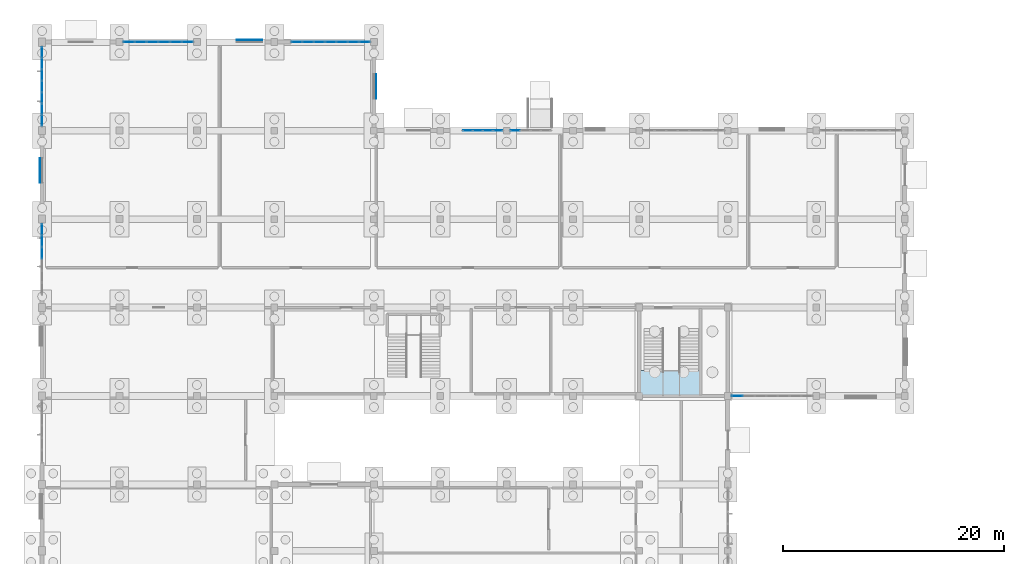
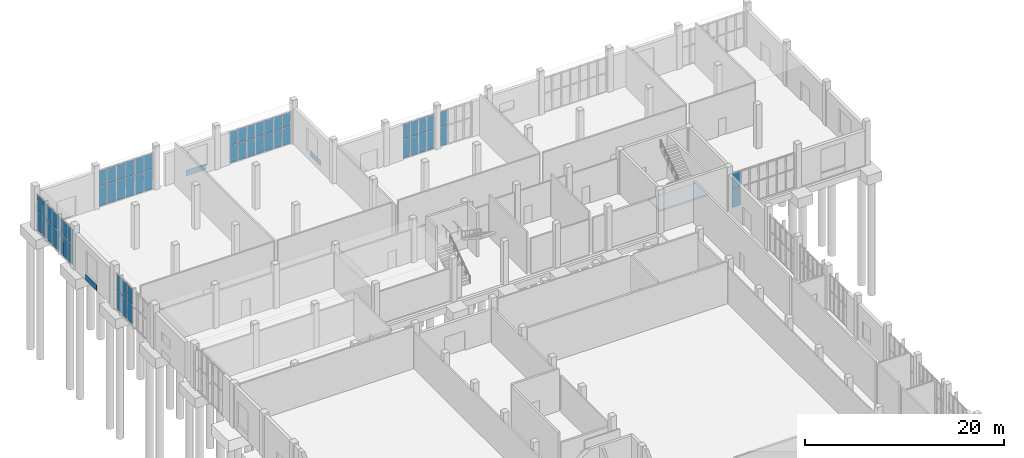
# One storey, part 38 of 69: 61 plates, 1 slab, 8 elements without a shape of their own.
"""IFC4 building model written with IfcOpenShell, lengths in metres."""

import ifcopenshell
import ifcopenshell.guid

model = None  # the IFC model being written
_history = None  # IfcOwnerHistory: only IFC2X3 demands one
_inside = {}  # id of a spatial element -> (the spatial element, [elements in it])
_under = {}  # id of a project, library or spatial element -> (it, [spatial elements below it])
_declared = {}  # id of a project -> (the project, [libraries it declares])
_typed = {}  # id of a type object -> (the type object, [elements of that type])
_made_of = {}  # id of a material, layer set ... -> (it, [elements and type objects made of it])


def new_model(schema):
    """Start an empty IFC model of exactly this schema.

    Asked for "IFC4X3", IfcOpenShell would pick the latest addendum, in which some entities
    have other attributes; the version numbers below select the first issue.
    IFC2X3 requires an IfcOwnerHistory on every rooted entity: one is made here for all.
    """
    global model, _history
    if schema == "IFC4X3":
        model = ifcopenshell.file(schema_version=(4, 3, 0, 0))
    else:
        model = ifcopenshell.file(schema=schema)
    _inside.clear()
    _under.clear()
    _declared.clear()
    _typed.clear()
    _made_of.clear()
    _history = None
    if model.schema == "IFC2X3":
        org = make("IfcOrganization", Name="unknown")
        user = make(
            "IfcPersonAndOrganization",
            ThePerson=make("IfcPerson", FamilyName="unknown"),
            TheOrganization=org,
        )
        app = make(
            "IfcApplication",
            ApplicationDeveloper=org,
            Version="unknown",
            ApplicationFullName="unknown",
            ApplicationIdentifier="unknown",
        )
        _history = make(
            "IfcOwnerHistory",
            OwningUser=user,
            OwningApplication=app,
            ChangeAction="ADDED",
            CreationDate=0,
        )
    return model


def make(cls, **values):
    """One entity of the class cls with the attributes given. An attribute that is None is left unset."""
    return model.create_entity(
        cls, **{name: value for name, value in values.items() if value is not None}
    )


def rooted(cls, **values):
    """An entity with a GlobalId (a new one), such as an element, a storey or a relation."""
    return make(cls, GlobalId=ifcopenshell.guid.new(), OwnerHistory=_history, **values)


def si_unit(unit_type, name, prefix=None):
    """IfcSIUnit, for example si_unit("LENGTHUNIT", "METRE", prefix="MILLI")."""
    return make("IfcSIUnit", UnitType=unit_type, Prefix=prefix, Name=name)


def assignment(units):
    """IfcUnitAssignment: the units of a project."""
    return None if units is None else make("IfcUnitAssignment", Units=units)


def point(xyz):
    """IfcCartesianPoint."""
    return None if xyz is None else make("IfcCartesianPoint", Coordinates=xyz)


def direction(xyz):
    """IfcDirection."""
    return None if xyz is None else make("IfcDirection", DirectionRatios=xyz)


def frame(location, z_axis=None, x_axis=None):
    """IfcAxis2Placement3D, a coordinate frame: its origin and axes. An axis left out is left unset."""
    return make(
        "IfcAxis2Placement3D",
        Location=point(location),
        Axis=direction(z_axis),
        RefDirection=direction(x_axis),
    )


def frame_2d(location, x_axis=None):
    """IfcAxis2Placement2D, a coordinate frame in the plane: its origin and x axis."""
    return make(
        "IfcAxis2Placement2D", Location=point(location), RefDirection=direction(x_axis)
    )


def origin():
    """The frame at (0, 0, 0) with its axes left unset."""
    return frame((0.0, 0.0, 0.0))


def origin_2d():
    """The frame at (0, 0) in the plane with its x axis left unset."""
    return frame_2d((0.0, 0.0))


def place(relative_to, where):
    """IfcLocalPlacement: puts the frame where relative to a parent placement (None: the world)."""
    return make(
        "IfcLocalPlacement", PlacementRelTo=relative_to, RelativePlacement=where
    )


def context(
    kind, dimensions, precision=None, world=None, true_north=None, identifier=None
):
    """IfcGeometricRepresentationContext, for example the 3D "Model" context."""
    return make(
        "IfcGeometricRepresentationContext",
        ContextIdentifier=identifier,
        ContextType=kind,
        CoordinateSpaceDimension=dimensions,
        Precision=precision,
        WorldCoordinateSystem=world,
        TrueNorth=true_north,
    )


def subcontext(parent, identifier, kind, view, scale=None):
    """IfcGeometricRepresentationSubContext, for example "Body" below "Model"."""
    return make(
        "IfcGeometricRepresentationSubContext",
        ContextIdentifier=identifier,
        ContextType=kind,
        ParentContext=parent,
        TargetScale=scale,
        TargetView=view,
    )


def project(units=None, contexts=None):
    """IfcProject with its units and contexts."""
    return rooted(
        "IfcProject",
        Name="project",
        RepresentationContexts=contexts,
        UnitsInContext=assignment(units),
    )


def spatial(cls, under=None, at=None, **own):
    """A site, building, storey or space (cls), placed at a placement, below another one or the project."""
    s = rooted(cls, ObjectPlacement=at, **own)
    if under is not None:
        _under.setdefault(under.id(), (under, []))[1].append(s)
    return s


def polyline(points):
    """IfcPolyline through the points."""
    return make("IfcPolyline", Points=[point(p) for p in points])


def profile(cls, at=None, kind="AREA", **sizes):
    """A parametric profile (cls). Its sizes go by their IFC names, for example OverallWidth=200.0."""
    return make(cls, ProfileType=kind, Position=at, **sizes)


def rectangle(**sizes):
    """IfcRectangleProfileDef."""
    return profile("IfcRectangleProfileDef", **sizes)


def outline(outer, holes=None, kind="AREA"):
    """IfcArbitraryClosedProfileDef: a profile drawn as a closed curve; with holes, ...WithVoids."""
    if holes is None:
        return make("IfcArbitraryClosedProfileDef", ProfileType=kind, OuterCurve=outer)
    return make(
        "IfcArbitraryProfileDefWithVoids",
        ProfileType=kind,
        OuterCurve=outer,
        InnerCurves=holes,
    )


def extrude(swept, where, along, depth):
    """IfcExtrudedAreaSolid: the profile swept, set in the frame where, extruded along a direction by depth."""
    return make(
        "IfcExtrudedAreaSolid",
        SweptArea=swept,
        Position=where,
        ExtrudedDirection=direction(along),
        Depth=depth,
    )


def shape(context_of_items, identifier, shape_type, items):
    """IfcShapeRepresentation: the items that make up one representation, for example the "Body"."""
    return make(
        "IfcShapeRepresentation",
        ContextOfItems=context_of_items,
        RepresentationIdentifier=identifier,
        RepresentationType=shape_type,
        Items=items,
    )


def material(Name=None, Category=None):
    """IfcMaterial."""
    return make("IfcMaterial", Name=Name, Category=Category)


def layer(
    of_material, thickness, ventilated=None, Name=None, Category=None, Priority=None
):
    """IfcMaterialLayer: one layer of a wall or slab, of a material (None: an air gap)."""
    return make(
        "IfcMaterialLayer",
        Material=of_material,
        LayerThickness=thickness,
        IsVentilated=ventilated,
        Name=Name,
        Category=Category,
        Priority=Priority,
    )


def layer_set(layers, Name=None):
    """IfcMaterialLayerSet."""
    return make("IfcMaterialLayerSet", MaterialLayers=layers, LayerSetName=Name)


def made_of(thing, what):
    """Note that an element or type object is made of a material, layer set ...; save() writes the relation."""
    if what is not None:
        _made_of.setdefault(what.id(), (what, []))[1].append(thing)
    return thing


def type_object(cls, material=None, **own):
    """A type object (cls), such as IfcWallType, which elements share."""
    return made_of(rooted(cls, **own), material)


def element(
    cls,
    number,
    at=None,
    inside=None,
    cuts=None,
    type_object=None,
    material=None,
    context=None,
    identifier="Body",
    shape_type=None,
    held_by="IfcProductDefinitionShape",
    body=None,
    shapes=None,
    **own,
):
    """One element of the class cls, such as IfcWall. Its Tag is "e" and its number.

    at: its placement. inside: the storey or other place that contains it. cuts: it is an
    opening in that element (IfcRelVoidsElement). A single representation is given by context,
    identifier, shape_type and body (its items); several are given by shapes. held_by: the class
    of the entity that holds the representations. save() writes the other relations.
    """
    e = rooted(cls, Tag="e%d" % number, ObjectPlacement=at, **own)
    if body is not None:
        shapes = [shape(context, identifier, shape_type, body)]
    if shapes is not None:
        e.Representation = make(held_by, Representations=shapes)
    if inside is not None:
        _inside.setdefault(inside.id(), (inside, []))[1].append(e)
    if cuts is not None:
        rooted(
            "IfcRelVoidsElement", RelatingBuildingElement=cuts, RelatedOpeningElement=e
        )
    if type_object is not None:
        _typed.setdefault(type_object.id(), (type_object, []))[1].append(e)
    return made_of(e, material)


def aggregate(whole, parts):
    """IfcRelAggregates: a whole, such as a stair, and the parts it consists of."""
    return rooted("IfcRelAggregates", RelatingObject=whole, RelatedObjects=parts)


def save(model, path):
    """Write the relations noted so far, then the file.

    IfcRelAggregates (storeys below a building ...), IfcRelContainedInSpatialStructure (elements
    in a storey), IfcRelDefinesByType, IfcRelAssociatesMaterial and IfcRelDeclares: one each for
    every whole, place, type object, material and project.
    """
    for whole, parts in _under.values():
        aggregate(whole, parts)
    for where, things in _inside.values():
        rooted(
            "IfcRelContainedInSpatialStructure",
            RelatedElements=things,
            RelatingStructure=where,
        )
    for kind, things in _typed.values():
        rooted("IfcRelDefinesByType", RelatedObjects=things, RelatingType=kind)
    for what, things in _made_of.values():
        rooted("IfcRelAssociatesMaterial", RelatedObjects=things, RelatingMaterial=what)
    for by, libraries in _declared.values():
        rooted("IfcRelDeclares", RelatingContext=by, RelatedDefinitions=libraries)
    model.write(path)


model = new_model("IFC4")

# Units and contexts
model_context = context("Model", 3, precision=1e-05, world=origin(), true_north=direction((0.0, 1.0)))
body_context = subcontext(model_context, "Body", "Model", "MODEL_VIEW")
ifc_project = project(units=[si_unit("LENGTHUNIT", "METRE"), si_unit("AREAUNIT", "SQUARE_METRE"), si_unit("VOLUMEUNIT", "CUBIC_METRE"), si_unit("PLANEANGLEUNIT", "RADIAN"), si_unit("MASSUNIT", "GRAM", prefix="KILO")], contexts=[model_context])

# Site, building, storey
site_placement = place(None, origin())
site = spatial("IfcSite", under=ifc_project, at=site_placement, CompositionType="ELEMENT")
building_placement = place(site_placement, origin())
building = spatial("IfcBuilding", under=site, at=building_placement, Name="Solvane Community Centre", CompositionType="ELEMENT")
storey_placement = place(building_placement, origin())
storey = spatial("IfcBuildingStorey", under=building, at=storey_placement, Name="L00", CompositionType="ELEMENT", Elevation=0.0)

# Plates
ifc_material_1 = material(Name="Anodised bronze aluminium AW-6063 T6", Category="aluminium")
ifc_layer_1 = layer(ifc_material_1, 0.02392578125)
ifc_layer_set_1 = layer_set([ifc_layer_1], Name="Anodised bronze aluminium AW-6063 T6")
plate_type_1 = type_object("IfcPlateType", Name="Bronze Spandrel Cassette 24mm", PredefinedType="SHEET", material=ifc_layer_set_1)
plate_1_placement = place(storey_placement, frame((5.798095703125, 106.39990234375, 0.06005859375), z_axis=(0.0, 0.0, 1.0), x_axis=(0.0, 1.0, 0.0)))
element("IfcPlate", 1, at=plate_1_placement, inside=storey, type_object=plate_type_1, Name="Art Deco Spandrel SPC-L00-007", PredefinedType="SHEET", context=body_context, shape_type="SweptSolid", body=[
    extrude(rectangle(XDim=2.199951171875, YDim=0.02392578125, at=origin_2d()), origin(), (0.0, 0.0, 1.0), 0.719970703125),
])
plate_2_placement = place(storey_placement, frame((24.75, 118.201904296875, 0.06005859375), z_axis=(0.0, 0.0, 1.0), x_axis=(1.0, 0.0, 0.0)))
element("IfcPlate", 2, at=plate_2_placement, inside=storey, type_object=plate_type_1, Name="Art Deco Spandrel SPC-L00-008", PredefinedType="SHEET", context=body_context, shape_type="SweptSolid", body=[
    extrude(rectangle(XDim=2.300048828125, YDim=0.02392578125, at=origin_2d()), origin(), (0.0, 0.0, 1.0), 0.719970703125),
])
plate_3_placement = place(storey_placement, frame((36.201904296875, 114.0, 0.06005859375), z_axis=(0.0, 0.0, 1.0), x_axis=(0.0, -1.0, 0.0)))
element("IfcPlate", 3, at=plate_3_placement, inside=storey, type_object=plate_type_1, Name="Art Deco Spandrel SPC-L00-009", PredefinedType="SHEET", context=body_context, shape_type="SweptSolid", body=[
    extrude(rectangle(XDim=2.199951171875, YDim=0.02392578125, at=origin_2d()), origin(), (0.0, 0.0, 1.0), 0.719970703125),
])

# Curtain wall, plates
ifc_layer_2 = layer(ifc_material_1, 0.18994140625)
ifc_layer_set_2 = layer_set([ifc_layer_2], Name="Anodised bronze aluminium AW-6063 T6")
curtain_wall_type_1 = type_object("IfcCurtainWallType", Name="Boulevard Bronze Vision Curtain Wall [37x43dm]", PredefinedType="NOTDEFINED", material=ifc_layer_set_2)
curtain_wall_1_placement = place(storey_placement, origin())
curtain_wall_1 = element("IfcCurtainWall", 4, at=curtain_wall_1_placement, inside=storey, type_object=curtain_wall_type_1, Name="Curtain Wall CW-L00-440_1100-010", PredefinedType="NOTDEFINED")
ifc_material_2 = material(Name="Tempered low-E double glazing", Category="glass")
ifc_layer_3 = layer(ifc_material_2, 0.028076171875)
ifc_layer_set_3 = layer_set([ifc_layer_3], Name="Tempered low-E double glazing")
plate_type_2 = type_object("IfcPlateType", Name="Low-E Vision Glazing Panel 28mm [37x43dm]", PredefinedType="CURTAIN_PANEL", material=ifc_layer_set_3)
plate_4_placement = place(storey_placement, frame((44.4755859375, 110.0, 0.06005859375), z_axis=(0.0, 0.0, 1.0), x_axis=(1.0, 0.0, 0.0)))
plate_4 = element("IfcPlate", 5, at=plate_4_placement, type_object=plate_type_2, Name="CW02-37x43 panel 1.1", PredefinedType="CURTAIN_PANEL", context=body_context, shape_type="SweptSolid", body=[
    extrude(rectangle(XDim=0.831298828125, YDim=0.028076171875, at=origin_2d()), origin(), (0.0, 0.0, 1.0), 2.282958984375),
])
plate_5_placement = place(storey_placement, frame((44.4755859375, 110.0, 2.403076171875), z_axis=(0.0, 0.0, 1.0), x_axis=(1.0, 0.0, 0.0)))
plate_5 = element("IfcPlate", 6, at=plate_5_placement, type_object=plate_type_2, Name="CW02-37x43 panel 1.2", PredefinedType="CURTAIN_PANEL", context=body_context, shape_type="SweptSolid", body=[
    extrude(rectangle(XDim=0.831298828125, YDim=0.028076171875, at=origin_2d()), origin(), (0.0, 0.0, 1.0), 1.85205078125),
])
plate_6_placement = place(storey_placement, frame((45.3818359375, 110.0, 0.06005859375), z_axis=(0.0, 0.0, 1.0), x_axis=(1.0, 0.0, 0.0)))
plate_6 = element("IfcPlate", 7, at=plate_6_placement, type_object=plate_type_2, Name="CW02-37x43 panel 2.1", PredefinedType="CURTAIN_PANEL", context=body_context, shape_type="SweptSolid", body=[
    extrude(rectangle(XDim=0.861328125, YDim=0.028076171875, at=origin_2d()), origin(), (0.0, 0.0, 1.0), 2.282958984375),
])
plate_7_placement = place(storey_placement, frame((45.3818359375, 110.0, 2.403076171875), z_axis=(0.0, 0.0, 1.0), x_axis=(1.0, 0.0, 0.0)))
plate_7 = element("IfcPlate", 8, at=plate_7_placement, type_object=plate_type_2, Name="CW02-37x43 panel 2.2", PredefinedType="CURTAIN_PANEL", context=body_context, shape_type="SweptSolid", body=[
    extrude(rectangle(XDim=0.861328125, YDim=0.028076171875, at=origin_2d()), origin(), (0.0, 0.0, 1.0), 1.85205078125),
])
plate_8_placement = place(storey_placement, frame((46.30322265625, 110.0, 0.06005859375), z_axis=(0.0, 0.0, 1.0), x_axis=(1.0, 0.0, 0.0)))
plate_8 = element("IfcPlate", 9, at=plate_8_placement, type_object=plate_type_2, Name="CW02-37x43 panel 3.1", PredefinedType="CURTAIN_PANEL", context=body_context, shape_type="SweptSolid", body=[
    extrude(rectangle(XDim=0.861328125, YDim=0.028076171875, at=origin_2d()), origin(), (0.0, 0.0, 1.0), 2.282958984375),
])
plate_9_placement = place(storey_placement, frame((46.30322265625, 110.0, 2.403076171875), z_axis=(0.0, 0.0, 1.0), x_axis=(1.0, 0.0, 0.0)))
plate_9 = element("IfcPlate", 10, at=plate_9_placement, type_object=plate_type_2, Name="CW02-37x43 panel 3.2", PredefinedType="CURTAIN_PANEL", context=body_context, shape_type="SweptSolid", body=[
    extrude(rectangle(XDim=0.861328125, YDim=0.028076171875, at=origin_2d()), origin(), (0.0, 0.0, 1.0), 1.85205078125),
])
plate_10_placement = place(storey_placement, frame((47.20947265625, 110.0, 0.06005859375), z_axis=(0.0, 0.0, 1.0), x_axis=(1.0, 0.0, 0.0)))
plate_10 = element("IfcPlate", 11, at=plate_10_placement, type_object=plate_type_2, Name="CW02-37x43 panel 4.1", PredefinedType="CURTAIN_PANEL", context=body_context, shape_type="SweptSolid", body=[
    extrude(rectangle(XDim=0.831298828125, YDim=0.028076171875, at=origin_2d()), origin(), (0.0, 0.0, 1.0), 2.282958984375),
])
plate_11_placement = place(storey_placement, frame((47.20947265625, 110.0, 2.403076171875), z_axis=(0.0, 0.0, 1.0), x_axis=(1.0, 0.0, 0.0)))
plate_11 = element("IfcPlate", 12, at=plate_11_placement, type_object=plate_type_2, Name="CW02-37x43 panel 4.2", PredefinedType="CURTAIN_PANEL", context=body_context, shape_type="SweptSolid", body=[
    extrude(rectangle(XDim=0.831298828125, YDim=0.028076171875, at=origin_2d()), origin(), (0.0, 0.0, 1.0), 1.85205078125),
])
aggregate(curtain_wall_1, [plate_4, plate_5, plate_6, plate_7, plate_8, plate_9, plate_10, plate_11])

curtain_wall_2_placement = place(storey_placement, origin())
curtain_wall_2 = element("IfcCurtainWall", 13, at=curtain_wall_2_placement, inside=storey, type_object=curtain_wall_type_1, Name="Curtain Wall CW-L00-483_1100-011", PredefinedType="NOTDEFINED")
plate_12_placement = place(storey_placement, frame((48.79052734375, 110.0, 0.06005859375), z_axis=(0.0, 0.0, 1.0), x_axis=(1.0, 0.0, 0.0)))
plate_12 = element("IfcPlate", 14, at=plate_12_placement, type_object=plate_type_2, Name="CW02-37x43 panel 1.1", PredefinedType="CURTAIN_PANEL", context=body_context, shape_type="SweptSolid", body=[
    extrude(rectangle(XDim=0.831298828125, YDim=0.028076171875, at=origin_2d()), origin(), (0.0, 0.0, 1.0), 2.282958984375),
])
plate_13_placement = place(storey_placement, frame((48.79052734375, 110.0, 2.403076171875), z_axis=(0.0, 0.0, 1.0), x_axis=(1.0, 0.0, 0.0)))
plate_13 = element("IfcPlate", 15, at=plate_13_placement, type_object=plate_type_2, Name="CW02-37x43 panel 1.2", PredefinedType="CURTAIN_PANEL", context=body_context, shape_type="SweptSolid", body=[
    extrude(rectangle(XDim=0.831298828125, YDim=0.028076171875, at=origin_2d()), origin(), (0.0, 0.0, 1.0), 1.85205078125),
])
aggregate(curtain_wall_2, [plate_12, plate_13])

ifc_layer_4 = layer(ifc_material_1, 0.18994140625)
ifc_layer_set_4 = layer_set([ifc_layer_4], Name="Anodised bronze aluminium AW-6063 T6")
curtain_wall_type_2 = type_object("IfcCurtainWallType", Name="Boulevard Bronze Vision Curtain Wall [64x44dm]", PredefinedType="NOTDEFINED", material=ifc_layer_set_4)
curtain_wall_3_placement = place(storey_placement, origin())
curtain_wall_3 = element("IfcCurtainWall", 16, at=curtain_wall_3_placement, inside=storey, type_object=curtain_wall_type_2, Name="Curtain Wall CW-L00-60_952-006", PredefinedType="NOTDEFINED")
ifc_layer_5 = layer(ifc_material_2, 0.028076171875)
ifc_layer_set_5 = layer_set([ifc_layer_5], Name="Tempered low-E double glazing")
plate_type_3 = type_object("IfcPlateType", Name="Low-E Vision Glazing Panel 28mm [64x44dm]", PredefinedType="CURTAIN_PANEL", material=ifc_layer_set_5)
plate_14_placement = place(storey_placement, frame((6.0, 98.939208984375, 0.06005859375), z_axis=(0.0, 0.0, 1.0), x_axis=(0.0, 1.0, 0.0)))
plate_14 = element("IfcPlate", 17, at=plate_14_placement, type_object=plate_type_3, Name="CW02-64x44 panel 4.1", PredefinedType="CURTAIN_PANEL", context=body_context, shape_type="SweptSolid", body=[
    extrude(rectangle(XDim=1.00830078125, YDim=0.028076171875, at=origin_2d()), origin(), (0.0, 0.0, 1.0), 2.35498046875),
])
plate_15_placement = place(storey_placement, frame((6.0, 98.939208984375, 2.47509765625), z_axis=(0.0, 0.0, 1.0), x_axis=(0.0, 1.0, 0.0)))
plate_15 = element("IfcPlate", 18, at=plate_15_placement, type_object=plate_type_3, Name="CW02-64x44 panel 4.2", PredefinedType="CURTAIN_PANEL", context=body_context, shape_type="SweptSolid", body=[
    extrude(rectangle(XDim=1.00830078125, YDim=0.028076171875, at=origin_2d()), origin(), (0.0, 0.0, 1.0), 1.909912109375),
])
plate_16_placement = place(storey_placement, frame((6.0, 100.007568359375, 0.06005859375), z_axis=(0.0, 0.0, 1.0), x_axis=(0.0, 1.0, 0.0)))
plate_16 = element("IfcPlate", 19, at=plate_16_placement, type_object=plate_type_3, Name="CW02-64x44 panel 5.1", PredefinedType="CURTAIN_PANEL", context=body_context, shape_type="SweptSolid", body=[
    extrude(rectangle(XDim=1.00830078125, YDim=0.028076171875, at=origin_2d()), origin(), (0.0, 0.0, 1.0), 2.35498046875),
])
plate_17_placement = place(storey_placement, frame((6.0, 100.007568359375, 2.47509765625), z_axis=(0.0, 0.0, 1.0), x_axis=(0.0, 1.0, 0.0)))
plate_17 = element("IfcPlate", 20, at=plate_17_placement, type_object=plate_type_3, Name="CW02-64x44 panel 5.2", PredefinedType="CURTAIN_PANEL", context=body_context, shape_type="SweptSolid", body=[
    extrude(rectangle(XDim=1.00830078125, YDim=0.028076171875, at=origin_2d()), origin(), (0.0, 0.0, 1.0), 1.909912109375),
])
plate_18_placement = place(storey_placement, frame((6.0, 101.060791015625, 0.06005859375), z_axis=(0.0, 0.0, 1.0), x_axis=(0.0, 1.0, 0.0)))
plate_18 = element("IfcPlate", 21, at=plate_18_placement, type_object=plate_type_3, Name="CW02-64x44 panel 6.1", PredefinedType="CURTAIN_PANEL", context=body_context, shape_type="SweptSolid", body=[
    extrude(rectangle(XDim=0.978271484375, YDim=0.028076171875, at=origin_2d()), origin(), (0.0, 0.0, 1.0), 2.35498046875),
])
plate_19_placement = place(storey_placement, frame((6.0, 101.060791015625, 2.47509765625), z_axis=(0.0, 0.0, 1.0), x_axis=(0.0, 1.0, 0.0)))
plate_19 = element("IfcPlate", 22, at=plate_19_placement, type_object=plate_type_3, Name="CW02-64x44 panel 6.2", PredefinedType="CURTAIN_PANEL", context=body_context, shape_type="SweptSolid", body=[
    extrude(rectangle(XDim=0.978271484375, YDim=0.028076171875, at=origin_2d()), origin(), (0.0, 0.0, 1.0), 1.909912109375),
])
aggregate(curtain_wall_3, [plate_14, plate_15, plate_16, plate_17, plate_18, plate_19])

ifc_layer_6 = layer(ifc_material_1, 0.18994140625)
ifc_layer_set_6 = layer_set([ifc_layer_6], Name="Anodised bronze aluminium AW-6063 T6")
curtain_wall_type_3 = type_object("IfcCurtainWallType", Name="Boulevard Bronze Vision Curtain Wall [64x45dm]", PredefinedType="NOTDEFINED", material=ifc_layer_set_6)
curtain_wall_4_placement = place(storey_placement, origin())
curtain_wall_4 = element("IfcCurtainWall", 23, at=curtain_wall_4_placement, inside=storey, type_object=curtain_wall_type_3, Name="Curtain Wall CW-L00-133_1180-008", PredefinedType="NOTDEFINED")
ifc_layer_7 = layer(ifc_material_2, 0.028076171875)
ifc_layer_set_7 = layer_set([ifc_layer_7], Name="Tempered low-E double glazing")
plate_type_4 = type_object("IfcPlateType", Name="Low-E Vision Glazing Panel 28mm [64x45dm]", PredefinedType="CURTAIN_PANEL", material=ifc_layer_set_7)
plate_20_placement = place(storey_placement, frame((13.864990234375, 118.0, 0.06005859375), z_axis=(0.0, 0.0, 1.0), x_axis=(1.0, 0.0, 0.0)))
plate_20 = element("IfcPlate", 24, at=plate_20_placement, type_object=plate_type_4, Name="CW02-64x45 panel 1.1", PredefinedType="CURTAIN_PANEL", context=body_context, shape_type="SweptSolid", body=[
    extrude(rectangle(XDim=0.969970703125, YDim=0.028076171875, at=origin_2d()), origin(), (0.0, 0.0, 1.0), 2.382080078125),
])
plate_21_placement = place(storey_placement, frame((13.864990234375, 118.0, 2.501953125), z_axis=(0.0, 0.0, 1.0), x_axis=(1.0, 0.0, 0.0)))
plate_21 = element("IfcPlate", 25, at=plate_21_placement, type_object=plate_type_4, Name="CW02-64x45 panel 1.2", PredefinedType="CURTAIN_PANEL", context=body_context, shape_type="SweptSolid", body=[
    extrude(rectangle(XDim=0.969970703125, YDim=0.028076171875, at=origin_2d()), origin(), (0.0, 0.0, 1.0), 1.93310546875),
])
plate_22_placement = place(storey_placement, frame((14.909912109375, 118.0, 0.06005859375), z_axis=(0.0, 0.0, 1.0), x_axis=(1.0, 0.0, 0.0)))
plate_22 = element("IfcPlate", 26, at=plate_22_placement, type_object=plate_type_4, Name="CW02-64x45 panel 2.1", PredefinedType="CURTAIN_PANEL", context=body_context, shape_type="SweptSolid", body=[
    extrude(rectangle(XDim=1.0, YDim=0.028076171875, at=origin_2d()), origin(), (0.0, 0.0, 1.0), 2.382080078125),
])
plate_23_placement = place(storey_placement, frame((14.909912109375, 118.0, 2.501953125), z_axis=(0.0, 0.0, 1.0), x_axis=(1.0, 0.0, 0.0)))
plate_23 = element("IfcPlate", 27, at=plate_23_placement, type_object=plate_type_4, Name="CW02-64x45 panel 2.2", PredefinedType="CURTAIN_PANEL", context=body_context, shape_type="SweptSolid", body=[
    extrude(rectangle(XDim=1.0, YDim=0.028076171875, at=origin_2d()), origin(), (0.0, 0.0, 1.0), 1.93310546875),
])
plate_24_placement = place(storey_placement, frame((15.969970703125, 118.0, 0.06005859375), z_axis=(0.0, 0.0, 1.0), x_axis=(1.0, 0.0, 0.0)))
plate_24 = element("IfcPlate", 28, at=plate_24_placement, type_object=plate_type_4, Name="CW02-64x45 panel 3.1", PredefinedType="CURTAIN_PANEL", context=body_context, shape_type="SweptSolid", body=[
    extrude(rectangle(XDim=1.0, YDim=0.028076171875, at=origin_2d()), origin(), (0.0, 0.0, 1.0), 2.382080078125),
])
plate_25_placement = place(storey_placement, frame((15.969970703125, 118.0, 2.501953125), z_axis=(0.0, 0.0, 1.0), x_axis=(1.0, 0.0, 0.0)))
plate_25 = element("IfcPlate", 29, at=plate_25_placement, type_object=plate_type_4, Name="CW02-64x45 panel 3.2", PredefinedType="CURTAIN_PANEL", context=body_context, shape_type="SweptSolid", body=[
    extrude(rectangle(XDim=1.0, YDim=0.028076171875, at=origin_2d()), origin(), (0.0, 0.0, 1.0), 1.93310546875),
])
plate_26_placement = place(storey_placement, frame((17.030029296875, 118.0, 0.06005859375), z_axis=(0.0, 0.0, 1.0), x_axis=(1.0, 0.0, 0.0)))
plate_26 = element("IfcPlate", 30, at=plate_26_placement, type_object=plate_type_4, Name="CW02-64x45 panel 4.1", PredefinedType="CURTAIN_PANEL", context=body_context, shape_type="SweptSolid", body=[
    extrude(rectangle(XDim=1.0, YDim=0.028076171875, at=origin_2d()), origin(), (0.0, 0.0, 1.0), 2.382080078125),
])
plate_27_placement = place(storey_placement, frame((17.030029296875, 118.0, 2.501953125), z_axis=(0.0, 0.0, 1.0), x_axis=(1.0, 0.0, 0.0)))
plate_27 = element("IfcPlate", 31, at=plate_27_placement, type_object=plate_type_4, Name="CW02-64x45 panel 4.2", PredefinedType="CURTAIN_PANEL", context=body_context, shape_type="SweptSolid", body=[
    extrude(rectangle(XDim=1.0, YDim=0.028076171875, at=origin_2d()), origin(), (0.0, 0.0, 1.0), 1.93310546875),
])
plate_28_placement = place(storey_placement, frame((18.090087890625, 118.0, 0.06005859375), z_axis=(0.0, 0.0, 1.0), x_axis=(1.0, 0.0, 0.0)))
plate_28 = element("IfcPlate", 32, at=plate_28_placement, type_object=plate_type_4, Name="CW02-64x45 panel 5.1", PredefinedType="CURTAIN_PANEL", context=body_context, shape_type="SweptSolid", body=[
    extrude(rectangle(XDim=1.0, YDim=0.028076171875, at=origin_2d()), origin(), (0.0, 0.0, 1.0), 2.382080078125),
])
plate_29_placement = place(storey_placement, frame((18.090087890625, 118.0, 2.501953125), z_axis=(0.0, 0.0, 1.0), x_axis=(1.0, 0.0, 0.0)))
plate_29 = element("IfcPlate", 33, at=plate_29_placement, type_object=plate_type_4, Name="CW02-64x45 panel 5.2", PredefinedType="CURTAIN_PANEL", context=body_context, shape_type="SweptSolid", body=[
    extrude(rectangle(XDim=1.0, YDim=0.028076171875, at=origin_2d()), origin(), (0.0, 0.0, 1.0), 1.93310546875),
])
plate_30_placement = place(storey_placement, frame((19.135009765625, 118.0, 0.06005859375), z_axis=(0.0, 0.0, 1.0), x_axis=(1.0, 0.0, 0.0)))
plate_30 = element("IfcPlate", 34, at=plate_30_placement, type_object=plate_type_4, Name="CW02-64x45 panel 6.1", PredefinedType="CURTAIN_PANEL", context=body_context, shape_type="SweptSolid", body=[
    extrude(rectangle(XDim=0.969970703125, YDim=0.028076171875, at=origin_2d()), origin(), (0.0, 0.0, 1.0), 2.382080078125),
])
plate_31_placement = place(storey_placement, frame((19.135009765625, 118.0, 2.501953125), z_axis=(0.0, 0.0, 1.0), x_axis=(1.0, 0.0, 0.0)))
plate_31 = element("IfcPlate", 35, at=plate_31_placement, type_object=plate_type_4, Name="CW02-64x45 panel 6.2", PredefinedType="CURTAIN_PANEL", context=body_context, shape_type="SweptSolid", body=[
    extrude(rectangle(XDim=0.969970703125, YDim=0.028076171875, at=origin_2d()), origin(), (0.0, 0.0, 1.0), 1.93310546875),
])
aggregate(curtain_wall_4, [plate_20, plate_21, plate_22, plate_23, plate_24, plate_25, plate_26, plate_27, plate_28, plate_29, plate_30, plate_31])

ifc_layer_8 = layer(ifc_material_1, 0.18994140625)
ifc_layer_set_8 = layer_set([ifc_layer_8], Name="Anodised bronze aluminium AW-6063 T6")
curtain_wall_type_4 = type_object("IfcCurtainWallType", Name="Boulevard Bronze Vision Curtain Wall [72x39dm]", PredefinedType="NOTDEFINED", material=ifc_layer_set_8)
curtain_wall_5_placement = place(storey_placement, origin())
curtain_wall_5 = element("IfcCurtainWall", 36, at=curtain_wall_5_placement, inside=storey, type_object=curtain_wall_type_4, Name="Curtain Wall CW-L00-285_1180-009", PredefinedType="NOTDEFINED")
ifc_layer_9 = layer(ifc_material_2, 0.028076171875)
ifc_layer_set_9 = layer_set([ifc_layer_9], Name="Tempered low-E double glazing")
plate_type_5 = type_object("IfcPlateType", Name="Low-E Vision Glazing Panel 28mm [72x39dm]", PredefinedType="CURTAIN_PANEL", material=ifc_layer_set_9)
plate_32_placement = place(storey_placement, frame((29.02783203125, 118.0, 0.06005859375), z_axis=(0.0, 0.0, 1.0), x_axis=(1.0, 0.0, 0.0)))
plate_32 = element("IfcPlate", 37, at=plate_32_placement, type_object=plate_type_5, Name="CW02-72x39 panel 1.1", PredefinedType="CURTAIN_PANEL", context=body_context, shape_type="SweptSolid", body=[
    extrude(rectangle(XDim=0.935791015625, YDim=0.028076171875, at=origin_2d()), origin(), (0.0, 0.0, 1.0), 2.080078125),
])
plate_33_placement = place(storey_placement, frame((29.02783203125, 118.0, 2.199951171875), z_axis=(0.0, 0.0, 1.0), x_axis=(1.0, 0.0, 0.0)))
plate_33 = element("IfcPlate", 38, at=plate_33_placement, type_object=plate_type_5, Name="CW02-72x39 panel 1.2", PredefinedType="CURTAIN_PANEL", context=body_context, shape_type="SweptSolid", body=[
    extrude(rectangle(XDim=0.935791015625, YDim=0.028076171875, at=origin_2d()), origin(), (0.0, 0.0, 1.0), 1.68505859375),
])
plate_34_placement = place(storey_placement, frame((30.03857421875, 118.0, 0.06005859375), z_axis=(0.0, 0.0, 1.0), x_axis=(1.0, 0.0, 0.0)))
plate_34 = element("IfcPlate", 39, at=plate_34_placement, type_object=plate_type_5, Name="CW02-72x39 panel 2.1", PredefinedType="CURTAIN_PANEL", context=body_context, shape_type="SweptSolid", body=[
    extrude(rectangle(XDim=0.9658203125, YDim=0.028076171875, at=origin_2d()), origin(), (0.0, 0.0, 1.0), 2.080078125),
])
plate_35_placement = place(storey_placement, frame((30.03857421875, 118.0, 2.199951171875), z_axis=(0.0, 0.0, 1.0), x_axis=(1.0, 0.0, 0.0)))
plate_35 = element("IfcPlate", 40, at=plate_35_placement, type_object=plate_type_5, Name="CW02-72x39 panel 2.2", PredefinedType="CURTAIN_PANEL", context=body_context, shape_type="SweptSolid", body=[
    extrude(rectangle(XDim=0.9658203125, YDim=0.028076171875, at=origin_2d()), origin(), (0.0, 0.0, 1.0), 1.68505859375),
])
plate_36_placement = place(storey_placement, frame((31.064208984375, 118.0, 0.06005859375), z_axis=(0.0, 0.0, 1.0), x_axis=(1.0, 0.0, 0.0)))
plate_36 = element("IfcPlate", 41, at=plate_36_placement, type_object=plate_type_5, Name="CW02-72x39 panel 3.1", PredefinedType="CURTAIN_PANEL", context=body_context, shape_type="SweptSolid", body=[
    extrude(rectangle(XDim=0.9658203125, YDim=0.028076171875, at=origin_2d()), origin(), (0.0, 0.0, 1.0), 2.080078125),
])
plate_37_placement = place(storey_placement, frame((31.064208984375, 118.0, 2.199951171875), z_axis=(0.0, 0.0, 1.0), x_axis=(1.0, 0.0, 0.0)))
plate_37 = element("IfcPlate", 42, at=plate_37_placement, type_object=plate_type_5, Name="CW02-72x39 panel 3.2", PredefinedType="CURTAIN_PANEL", context=body_context, shape_type="SweptSolid", body=[
    extrude(rectangle(XDim=0.9658203125, YDim=0.028076171875, at=origin_2d()), origin(), (0.0, 0.0, 1.0), 1.68505859375),
])
plate_38_placement = place(storey_placement, frame((32.090087890625, 118.0, 0.06005859375), z_axis=(0.0, 0.0, 1.0), x_axis=(1.0, 0.0, 0.0)))
plate_38 = element("IfcPlate", 43, at=plate_38_placement, type_object=plate_type_5, Name="CW02-72x39 panel 4.1", PredefinedType="CURTAIN_PANEL", context=body_context, shape_type="SweptSolid", body=[
    extrude(rectangle(XDim=0.9658203125, YDim=0.028076171875, at=origin_2d()), origin(), (0.0, 0.0, 1.0), 2.080078125),
])
plate_39_placement = place(storey_placement, frame((32.090087890625, 118.0, 2.199951171875), z_axis=(0.0, 0.0, 1.0), x_axis=(1.0, 0.0, 0.0)))
plate_39 = element("IfcPlate", 44, at=plate_39_placement, type_object=plate_type_5, Name="CW02-72x39 panel 4.2", PredefinedType="CURTAIN_PANEL", context=body_context, shape_type="SweptSolid", body=[
    extrude(rectangle(XDim=0.9658203125, YDim=0.028076171875, at=origin_2d()), origin(), (0.0, 0.0, 1.0), 1.68505859375),
])
plate_40_placement = place(storey_placement, frame((33.11572265625, 118.0, 0.06005859375), z_axis=(0.0, 0.0, 1.0), x_axis=(1.0, 0.0, 0.0)))
plate_40 = element("IfcPlate", 45, at=plate_40_placement, type_object=plate_type_5, Name="CW02-72x39 panel 5.1", PredefinedType="CURTAIN_PANEL", context=body_context, shape_type="SweptSolid", body=[
    extrude(rectangle(XDim=0.9658203125, YDim=0.028076171875, at=origin_2d()), origin(), (0.0, 0.0, 1.0), 2.080078125),
])
plate_41_placement = place(storey_placement, frame((33.11572265625, 118.0, 2.199951171875), z_axis=(0.0, 0.0, 1.0), x_axis=(1.0, 0.0, 0.0)))
plate_41 = element("IfcPlate", 46, at=plate_41_placement, type_object=plate_type_5, Name="CW02-72x39 panel 5.2", PredefinedType="CURTAIN_PANEL", context=body_context, shape_type="SweptSolid", body=[
    extrude(rectangle(XDim=0.9658203125, YDim=0.028076171875, at=origin_2d()), origin(), (0.0, 0.0, 1.0), 1.68505859375),
])
plate_42_placement = place(storey_placement, frame((34.141357421875, 118.0, 0.06005859375), z_axis=(0.0, 0.0, 1.0), x_axis=(1.0, 0.0, 0.0)))
plate_42 = element("IfcPlate", 47, at=plate_42_placement, type_object=plate_type_5, Name="CW02-72x39 panel 6.1", PredefinedType="CURTAIN_PANEL", context=body_context, shape_type="SweptSolid", body=[
    extrude(rectangle(XDim=0.9658203125, YDim=0.028076171875, at=origin_2d()), origin(), (0.0, 0.0, 1.0), 2.080078125),
])
plate_43_placement = place(storey_placement, frame((34.141357421875, 118.0, 2.199951171875), z_axis=(0.0, 0.0, 1.0), x_axis=(1.0, 0.0, 0.0)))
plate_43 = element("IfcPlate", 48, at=plate_43_placement, type_object=plate_type_5, Name="CW02-72x39 panel 6.2", PredefinedType="CURTAIN_PANEL", context=body_context, shape_type="SweptSolid", body=[
    extrude(rectangle(XDim=0.9658203125, YDim=0.028076171875, at=origin_2d()), origin(), (0.0, 0.0, 1.0), 1.68505859375),
])
plate_44_placement = place(storey_placement, frame((35.152099609375, 118.0, 0.06005859375), z_axis=(0.0, 0.0, 1.0), x_axis=(1.0, 0.0, 0.0)))
plate_44 = element("IfcPlate", 49, at=plate_44_placement, type_object=plate_type_5, Name="CW02-72x39 panel 7.1", PredefinedType="CURTAIN_PANEL", context=body_context, shape_type="SweptSolid", body=[
    extrude(rectangle(XDim=0.935791015625, YDim=0.028076171875, at=origin_2d()), origin(), (0.0, 0.0, 1.0), 2.080078125),
])
plate_45_placement = place(storey_placement, frame((35.152099609375, 118.0, 2.199951171875), z_axis=(0.0, 0.0, 1.0), x_axis=(1.0, 0.0, 0.0)))
plate_45 = element("IfcPlate", 50, at=plate_45_placement, type_object=plate_type_5, Name="CW02-72x39 panel 7.2", PredefinedType="CURTAIN_PANEL", context=body_context, shape_type="SweptSolid", body=[
    extrude(rectangle(XDim=0.935791015625, YDim=0.028076171875, at=origin_2d()), origin(), (0.0, 0.0, 1.0), 1.68505859375),
])
aggregate(curtain_wall_5, [plate_32, plate_33, plate_34, plate_35, plate_36, plate_37, plate_38, plate_39, plate_40, plate_41, plate_42, plate_43, plate_44, plate_45])

ifc_layer_10 = layer(ifc_material_1, 0.18994140625)
ifc_layer_set_10 = layer_set([ifc_layer_10], Name="Anodised bronze aluminium AW-6063 T6")
curtain_wall_type_5 = type_object("IfcCurtainWallType", Name="Boulevard Bronze Vision Curtain Wall [72x44dm]", PredefinedType="NOTDEFINED", material=ifc_layer_set_10)
curtain_wall_6_placement = place(storey_placement, origin())
curtain_wall_6 = element("IfcCurtainWall", 51, at=curtain_wall_6_placement, inside=storey, type_object=curtain_wall_type_5, Name="Curtain Wall CW-L00-60_1104-007", PredefinedType="NOTDEFINED")
ifc_layer_11 = layer(ifc_material_2, 0.028076171875)
ifc_layer_set_11 = layer_set([ifc_layer_11], Name="Tempered low-E double glazing")
plate_type_6 = type_object("IfcPlateType", Name="Low-E Vision Glazing Panel 28mm [72x44dm]", PredefinedType="CURTAIN_PANEL", material=ifc_layer_set_11)
plate_46_placement = place(storey_placement, frame((6.0, 110.920654296875, 0.06005859375), z_axis=(0.0, 0.0, 1.0), x_axis=(0.0, 1.0, 0.0)))
plate_46 = element("IfcPlate", 52, at=plate_46_placement, type_object=plate_type_6, Name="CW02-72x44 panel 1.1", PredefinedType="CURTAIN_PANEL", context=body_context, shape_type="SweptSolid", body=[
    extrude(rectangle(XDim=0.94140625, YDim=0.028076171875, at=origin_2d()), origin(), (0.0, 0.0, 1.0), 2.35498046875),
])
plate_47_placement = place(storey_placement, frame((6.0, 110.920654296875, 2.47509765625), z_axis=(0.0, 0.0, 1.0), x_axis=(0.0, 1.0, 0.0)))
plate_47 = element("IfcPlate", 53, at=plate_47_placement, type_object=plate_type_6, Name="CW02-72x44 panel 1.2", PredefinedType="CURTAIN_PANEL", context=body_context, shape_type="SweptSolid", body=[
    extrude(rectangle(XDim=0.94140625, YDim=0.028076171875, at=origin_2d()), origin(), (0.0, 0.0, 1.0), 1.909912109375),
])
plate_48_placement = place(storey_placement, frame((6.0, 111.937255859375, 0.06005859375), z_axis=(0.0, 0.0, 1.0), x_axis=(0.0, 1.0, 0.0)))
plate_48 = element("IfcPlate", 54, at=plate_48_placement, type_object=plate_type_6, Name="CW02-72x44 panel 2.1", PredefinedType="CURTAIN_PANEL", context=body_context, shape_type="SweptSolid", body=[
    extrude(rectangle(XDim=0.971435546875, YDim=0.028076171875, at=origin_2d()), origin(), (0.0, 0.0, 1.0), 2.35498046875),
])
plate_49_placement = place(storey_placement, frame((6.0, 111.937255859375, 2.47509765625), z_axis=(0.0, 0.0, 1.0), x_axis=(0.0, 1.0, 0.0)))
plate_49 = element("IfcPlate", 55, at=plate_49_placement, type_object=plate_type_6, Name="CW02-72x44 panel 2.2", PredefinedType="CURTAIN_PANEL", context=body_context, shape_type="SweptSolid", body=[
    extrude(rectangle(XDim=0.971435546875, YDim=0.028076171875, at=origin_2d()), origin(), (0.0, 0.0, 1.0), 1.909912109375),
])
plate_50_placement = place(storey_placement, frame((6.0, 112.968505859375, 0.06005859375), z_axis=(0.0, 0.0, 1.0), x_axis=(0.0, 1.0, 0.0)))
plate_50 = element("IfcPlate", 56, at=plate_50_placement, type_object=plate_type_6, Name="CW02-72x44 panel 3.1", PredefinedType="CURTAIN_PANEL", context=body_context, shape_type="SweptSolid", body=[
    extrude(rectangle(XDim=0.971435546875, YDim=0.028076171875, at=origin_2d()), origin(), (0.0, 0.0, 1.0), 2.35498046875),
])
plate_51_placement = place(storey_placement, frame((6.0, 112.968505859375, 2.47509765625), z_axis=(0.0, 0.0, 1.0), x_axis=(0.0, 1.0, 0.0)))
plate_51 = element("IfcPlate", 57, at=plate_51_placement, type_object=plate_type_6, Name="CW02-72x44 panel 3.2", PredefinedType="CURTAIN_PANEL", context=body_context, shape_type="SweptSolid", body=[
    extrude(rectangle(XDim=0.971435546875, YDim=0.028076171875, at=origin_2d()), origin(), (0.0, 0.0, 1.0), 1.909912109375),
])
plate_52_placement = place(storey_placement, frame((6.0, 114.0, 0.06005859375), z_axis=(0.0, 0.0, 1.0), x_axis=(0.0, 1.0, 0.0)))
plate_52 = element("IfcPlate", 58, at=plate_52_placement, type_object=plate_type_6, Name="CW02-72x44 panel 4.1", PredefinedType="CURTAIN_PANEL", context=body_context, shape_type="SweptSolid", body=[
    extrude(rectangle(XDim=0.971435546875, YDim=0.028076171875, at=origin_2d()), origin(), (0.0, 0.0, 1.0), 2.35498046875),
])
plate_53_placement = place(storey_placement, frame((6.0, 114.0, 2.47509765625), z_axis=(0.0, 0.0, 1.0), x_axis=(0.0, 1.0, 0.0)))
plate_53 = element("IfcPlate", 59, at=plate_53_placement, type_object=plate_type_6, Name="CW02-72x44 panel 4.2", PredefinedType="CURTAIN_PANEL", context=body_context, shape_type="SweptSolid", body=[
    extrude(rectangle(XDim=0.971435546875, YDim=0.028076171875, at=origin_2d()), origin(), (0.0, 0.0, 1.0), 1.909912109375),
])
plate_54_placement = place(storey_placement, frame((6.0, 115.031494140625, 0.06005859375), z_axis=(0.0, 0.0, 1.0), x_axis=(0.0, 1.0, 0.0)))
plate_54 = element("IfcPlate", 60, at=plate_54_placement, type_object=plate_type_6, Name="CW02-72x44 panel 5.1", PredefinedType="CURTAIN_PANEL", context=body_context, shape_type="SweptSolid", body=[
    extrude(rectangle(XDim=0.971435546875, YDim=0.028076171875, at=origin_2d()), origin(), (0.0, 0.0, 1.0), 2.35498046875),
])
plate_55_placement = place(storey_placement, frame((6.0, 115.031494140625, 2.47509765625), z_axis=(0.0, 0.0, 1.0), x_axis=(0.0, 1.0, 0.0)))
plate_55 = element("IfcPlate", 61, at=plate_55_placement, type_object=plate_type_6, Name="CW02-72x44 panel 5.2", PredefinedType="CURTAIN_PANEL", context=body_context, shape_type="SweptSolid", body=[
    extrude(rectangle(XDim=0.971435546875, YDim=0.028076171875, at=origin_2d()), origin(), (0.0, 0.0, 1.0), 1.909912109375),
])
plate_56_placement = place(storey_placement, frame((6.0, 116.062744140625, 0.06005859375), z_axis=(0.0, 0.0, 1.0), x_axis=(0.0, 1.0, 0.0)))
plate_56 = element("IfcPlate", 62, at=plate_56_placement, type_object=plate_type_6, Name="CW02-72x44 panel 6.1", PredefinedType="CURTAIN_PANEL", context=body_context, shape_type="SweptSolid", body=[
    extrude(rectangle(XDim=0.971435546875, YDim=0.028076171875, at=origin_2d()), origin(), (0.0, 0.0, 1.0), 2.35498046875),
])
plate_57_placement = place(storey_placement, frame((6.0, 116.062744140625, 2.47509765625), z_axis=(0.0, 0.0, 1.0), x_axis=(0.0, 1.0, 0.0)))
plate_57 = element("IfcPlate", 63, at=plate_57_placement, type_object=plate_type_6, Name="CW02-72x44 panel 6.2", PredefinedType="CURTAIN_PANEL", context=body_context, shape_type="SweptSolid", body=[
    extrude(rectangle(XDim=0.971435546875, YDim=0.028076171875, at=origin_2d()), origin(), (0.0, 0.0, 1.0), 1.909912109375),
])
plate_58_placement = place(storey_placement, frame((6.0, 117.079345703125, 0.06005859375), z_axis=(0.0, 0.0, 1.0), x_axis=(0.0, 1.0, 0.0)))
plate_58 = element("IfcPlate", 64, at=plate_58_placement, type_object=plate_type_6, Name="CW02-72x44 panel 7.1", PredefinedType="CURTAIN_PANEL", context=body_context, shape_type="SweptSolid", body=[
    extrude(rectangle(XDim=0.94140625, YDim=0.028076171875, at=origin_2d()), origin(), (0.0, 0.0, 1.0), 2.35498046875),
])
plate_59_placement = place(storey_placement, frame((6.0, 117.079345703125, 2.47509765625), z_axis=(0.0, 0.0, 1.0), x_axis=(0.0, 1.0, 0.0)))
plate_59 = element("IfcPlate", 65, at=plate_59_placement, type_object=plate_type_6, Name="CW02-72x44 panel 7.2", PredefinedType="CURTAIN_PANEL", context=body_context, shape_type="SweptSolid", body=[
    extrude(rectangle(XDim=0.94140625, YDim=0.028076171875, at=origin_2d()), origin(), (0.0, 0.0, 1.0), 1.909912109375),
])
aggregate(curtain_wall_6, [plate_46, plate_47, plate_48, plate_49, plate_50, plate_51, plate_52, plate_53, plate_54, plate_55, plate_56, plate_57, plate_58, plate_59])

ifc_layer_12 = layer(ifc_material_1, 0.18994140625)
ifc_layer_set_12 = layer_set([ifc_layer_12], Name="Anodised bronze aluminium AW-6063 T6")
curtain_wall_type_6 = type_object("IfcCurtainWallType", Name="Boulevard Bronze Vision Curtain Wall [74x42dm]", PredefinedType="NOTDEFINED", material=ifc_layer_set_12)
curtain_wall_7_placement = place(storey_placement, origin())
curtain_wall_7 = element("IfcCurtainWall", 66, at=curtain_wall_7_placement, inside=storey, type_object=curtain_wall_type_6, Name="Curtain Wall CW-L00-757_860-014", PredefinedType="NOTDEFINED")
ifc_layer_13 = layer(ifc_material_2, 0.028076171875)
ifc_layer_set_13 = layer_set([ifc_layer_13], Name="Tempered low-E double glazing")
plate_type_7 = type_object("IfcPlateType", Name="Low-E Vision Glazing Panel 28mm [74x42dm]", PredefinedType="CURTAIN_PANEL", material=ifc_layer_set_13)
plate_60_placement = place(storey_placement, frame((68.85595703125, 86.0, 0.06005859375), z_axis=(0.0, 0.0, 1.0), x_axis=(-1.0, 0.0, 0.0)))
plate_60 = element("IfcPlate", 67, at=plate_60_placement, type_object=plate_type_7, Name="CW02-74x42 panel 7.1", PredefinedType="CURTAIN_PANEL", context=body_context, shape_type="SweptSolid", body=[
    extrude(rectangle(XDim=0.962158203125, YDim=0.028076171875, at=origin_2d()), origin(), (0.0, 0.0, 1.0), 2.2451171875),
])
plate_61_placement = place(storey_placement, frame((68.85595703125, 86.0, 2.36474609375), z_axis=(0.0, 0.0, 1.0), x_axis=(-1.0, 0.0, 0.0)))
plate_61 = element("IfcPlate", 68, at=plate_61_placement, type_object=plate_type_7, Name="CW02-74x42 panel 7.2", PredefinedType="CURTAIN_PANEL", context=body_context, shape_type="SweptSolid", body=[
    extrude(rectangle(XDim=0.962158203125, YDim=0.028076171875, at=origin_2d()), origin(), (0.0, 0.0, 1.0), 1.820068359375),
])
aggregate(curtain_wall_7, [plate_60, plate_61])

# Stair, slab
ifc_material_3 = material(Name="Concrete C35/45", Category="concrete")
stair_type = type_object("IfcStairType", Name="RC Two-Flight Escape Stair 1720mm", PredefinedType="TWO_STRAIGHT_RUN_STAIR", material=ifc_material_3)
stair_placement = place(storey_placement, origin())
stair = element("IfcStair", 69, at=stair_placement, inside=storey, type_object=stair_type, Name="Stair STR-C7-L00", PredefinedType="TWO_STRAIGHT_RUN_STAIR")
ifc_layer_14 = layer(ifc_material_3, 0.199951171875)
ifc_layer_set_14 = layer_set([ifc_layer_14], Name="Concrete C35/45")
slab_type = type_object("IfcSlabType", Name="RC Stair Half-Landing Slab 200mm", PredefinedType="LANDING", material=ifc_layer_set_14)
slab_placement = place(storey_placement, frame((0.0, 0.0, 2.5)))
slab = element("IfcSlab", 70, at=slab_placement, type_object=slab_type, Name="ST-07 landing 1", PredefinedType="LANDING", context=body_context, shape_type="SweptSolid", body=[
    extrude(outline(polyline([(59.9599609375, 85.9599609375), (65.56005859375, 85.9599609375), (65.56005859375, 88.300048828125), (59.9599609375, 88.300048828125), (59.9599609375, 85.9599609375)])), origin(), (0.0, 0.0, 1.0), 0.199951171875),
])
aggregate(stair, [slab])

save(model, "model.ifc")
